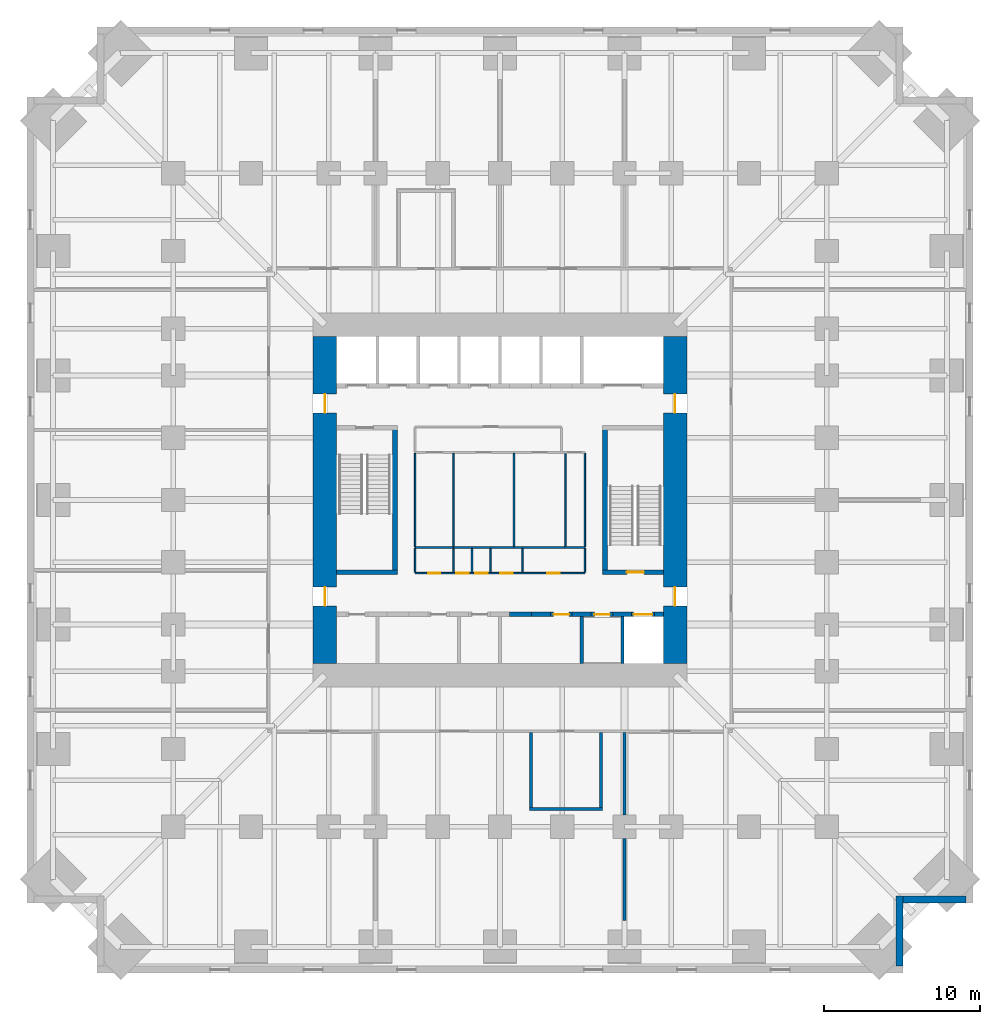
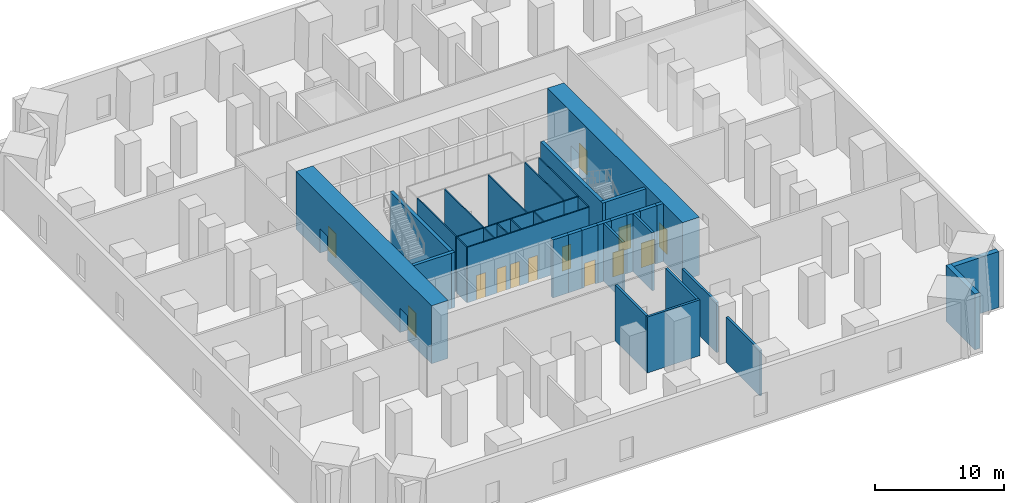
# One storey, part 4 of 8: 37 walls, 13 doors, 13 openings.
"""IFC4 building model written with IfcOpenShell, lengths in metres."""

from ifc_helpers import new_model, si_unit, direction, frame, frame_2d, origin, place, context, subcontext, project, spatial, rectangle, extrude, material, layer, layer_set, type_object, element, fill, save


model = new_model("IFC4")

# Units and contexts
model_context = context("Model", 3, precision=1e-05, world=origin(), true_north=direction((0.0, 1.0)))
body_context = subcontext(model_context, "Body", "Model", "MODEL_VIEW")
ifc_project = project(units=[si_unit("LENGTHUNIT", "METRE"), si_unit("AREAUNIT", "SQUARE_METRE"), si_unit("VOLUMEUNIT", "CUBIC_METRE"), si_unit("PLANEANGLEUNIT", "RADIAN"), si_unit("MASSUNIT", "GRAM", prefix="KILO")], contexts=[model_context])

# Site, building, storey
site_placement = place(None, origin())
site = spatial("IfcSite", under=ifc_project, at=site_placement, CompositionType="ELEMENT")
building_placement = place(site_placement, origin())
building = spatial("IfcBuilding", under=site, at=building_placement, Name="Peilmerk Tower", CompositionType="ELEMENT")
storey_placement = place(building_placement, frame((0.0, 0.0, 54.0)))
storey = spatial("IfcBuildingStorey", under=building, at=storey_placement, Name="L10", CompositionType="ELEMENT", Elevation=54.0)

# Walls
ifc_material_1 = material(Name="Precast concrete C45/55, board-marked finish", Category="concrete")
ifc_layer_1 = layer(ifc_material_1, 0.449951171875)
ifc_layer_set_1 = layer_set([ifc_layer_1], Name="Precast concrete C45/55, board-marked finish")
wall_type_1 = type_object("IfcWallType", Name="EW1 450 precast concrete facade wall, board-marked", PredefinedType="SOLIDWALL", material=ifc_layer_set_1)
wall_1_placement = place(storey_placement, frame((25.675048828125, -25.449951171875, 0.0), z_axis=(0.0, 0.0, 1.0), x_axis=(0.0, -1.0, 0.0)))
element("IfcWall", 1, at=wall_1_placement, inside=storey, type_object=wall_type_1, Name="Facade wall SEA L10", PredefinedType="SOLIDWALL", context=body_context, shape_type="SweptSolid", body=[
    extrude(rectangle(XDim=4.5, YDim=0.449951171875, at=frame_2d((2.25, 0.0))), origin(), (0.0, 0.0, 1.0), 5.300048828125),
])
wall_2_placement = place(storey_placement, frame((25.89990234375, -25.675048828125, 0.0), z_axis=(0.0, 0.0, 1.0), x_axis=(1.0, 0.0, 0.0)))
element("IfcWall", 2, at=wall_2_placement, inside=storey, type_object=wall_type_1, Name="Facade wall SEB L10", PredefinedType="SOLIDWALL", context=body_context, shape_type="SweptSolid", body=[
    extrude(rectangle(XDim=4.050048828125, YDim=0.449951171875, at=frame_2d((2.02490234375, 0.0))), origin(), (0.0, 0.0, 1.0), 5.300048828125),
])
ifc_material_2 = material(Name="Calcium silicate block", Category="masonry")
ifc_layer_2 = layer(ifc_material_2, 0.199951171875)
ifc_layer_set_2 = layer_set([ifc_layer_2], Name="Calcium silicate block")
wall_type_2 = type_object("IfcWallType", Name="IW2 200 room separating wall, EI 120", PredefinedType="PARTITIONING", material=ifc_layer_set_2)
wall_3_placement = place(storey_placement, frame((8.0, -14.925048828125, 0.0), z_axis=(0.0, 0.0, 1.0), x_axis=(0.0, -1.0, 0.0)))
element("IfcWall", 3, at=wall_3_placement, inside=storey, type_object=wall_type_2, Name="Room separating wall S2 L10", PredefinedType="PARTITIONING", context=body_context, shape_type="SweptSolid", body=[
    extrude(rectangle(XDim=5.324951171875, YDim=0.199951171875, at=frame_2d((2.66259765625, 0.0))), origin(), (0.0, 0.0, 1.0), 4.73095703125),
])
wall_4_placement = place(storey_placement, frame((8.0, -21.75, 0.0), z_axis=(0.0, 0.0, 1.0), x_axis=(0.0, -1.0, 0.0)))
element("IfcWall", 4, at=wall_4_placement, inside=storey, type_object=wall_type_2, Name="Room separating wall S2b L10", PredefinedType="PARTITIONING", context=body_context, shape_type="SweptSolid", body=[
    extrude(rectangle(XDim=5.2626953125, YDim=0.199951171875, at=frame_2d((2.63134765625, 0.0))), origin(), (0.0, 0.0, 1.0), 4.300048828125),
])
wall_5_placement = place(storey_placement, frame((1.89990234375, -19.85009765625, 0.0), z_axis=(0.0, 0.0, 1.0), x_axis=(1.0, 0.0, 0.0)))
element("IfcWall", 5, at=wall_5_placement, inside=storey, type_object=wall_type_2, Name="Room separating wall Security control room L10", PredefinedType="PARTITIONING", context=body_context, shape_type="SweptSolid", body=[
    extrude(rectangle(XDim=4.7001953125, YDim=0.199951171875, at=frame_2d((2.35009765625, 0.0))), origin(), (0.0, 0.0, 1.0), 5.300048828125),
])
for number, where, z_axis, x_axis, name in (
    (6, (2.0, -14.925048828125, 0.0), (0.0, 0.0, 1.0), (0.0, -1.0, 0.0), "Room separating wall Security control room L10"),
    (7, (6.5, -14.925048828125, 0.0), (0.0, 0.0, 1.0), (0.0, -1.0, 0.0), "Room separating wall Security control room L10"),
):
    element("IfcWall", number, at=place(storey_placement, frame(where, z_axis=z_axis, x_axis=x_axis)), inside=storey, type_object=wall_type_2, Name=name, PredefinedType="PARTITIONING", context=body_context, shape_type="SweptSolid", body=[
        extrude(rectangle(XDim=4.824951171875, YDim=0.199951171875, at=frame_2d((2.41259765625, 0.0))), origin(), (0.0, 0.0, 1.0), 5.300048828125),
    ])
ifc_material_3 = material(Name="Concrete C35/45", Category="concrete")
ifc_layer_3 = layer(ifc_material_3, 0.300048828125)
ifc_layer_set_3 = layer_set([ifc_layer_3], Name="Concrete C35/45")
wall_type_3 = type_object("IfcWallType", Name="IW3 300 concrete stair enclosure wall, EI 120", PredefinedType="SOLIDWALL", material=ifc_layer_set_3)
wall_6_placement = place(storey_placement, frame((-6.75, -4.800048828125, 0.0), z_axis=(0.0, 0.0, 1.0), x_axis=(0.0, 1.0, 0.0)))
element("IfcWall", 8, at=wall_6_placement, inside=storey, type_object=wall_type_3, Name="Stair 1 enclosure L10", PredefinedType="SOLIDWALL", context=body_context, shape_type="SweptSolid", body=[
    extrude(rectangle(XDim=9.60009765625, YDim=0.300048828125, at=frame_2d((4.800048828125, 0.0))), origin(), (0.0, 0.0, 1.0), 5.25),
])
wall_7_placement = place(storey_placement, frame((-6.60009765625, -4.64990234375, 0.0), z_axis=(0.0, 0.0, 1.0), x_axis=(-1.0, 0.0, 0.0)))
element("IfcWall", 9, at=wall_7_placement, inside=storey, type_object=wall_type_3, Name="Stair 1 enclosure L10", PredefinedType="SOLIDWALL", context=body_context, shape_type="SweptSolid", body=[
    extrude(rectangle(XDim=3.89990234375, YDim=0.300048828125, at=frame_2d((1.949951171875, 0.0))), origin(), (0.0, 0.0, 1.0), 5.25),
])
wall_8_placement = place(storey_placement, frame((6.75, -4.800048828125, 0.0), z_axis=(0.0, 0.0, 1.0), x_axis=(0.0, 1.0, 0.0)))
element("IfcWall", 10, at=wall_8_placement, inside=storey, type_object=wall_type_3, Name="Stair 2 enclosure L10", PredefinedType="SOLIDWALL", context=body_context, shape_type="SweptSolid", body=[
    extrude(rectangle(XDim=9.60009765625, YDim=0.300048828125, at=frame_2d((4.800048828125, 0.0))), origin(), (0.0, 0.0, 1.0), 5.25),
])

# Wall, opening, door
wall_9_placement = place(storey_placement, frame((10.5, -4.64990234375, 0.0), z_axis=(0.0, 0.0, 1.0), x_axis=(-1.0, 0.0, 0.0)))
wall_9 = element("IfcWall", 11, at=wall_9_placement, inside=storey, type_object=wall_type_3, Name="Stair 2 enclosure L10", PredefinedType="SOLIDWALL", context=body_context, shape_type="SweptSolid", body=[
    extrude(rectangle(XDim=3.89990234375, YDim=0.300048828125, at=frame_2d((1.949951171875, 0.0))), origin(), (0.0, 0.0, 1.0), 5.25),
])
opening_1_placement = place(wall_9_placement, frame((1.25, 0.0, 0.0)))
opening_1 = element("IfcOpeningElement", 12, at=opening_1_placement, cuts=wall_9, Name="Opening D4", PredefinedType="OPENING", context=body_context, shape_type="SweptSolid", body=[
    extrude(rectangle(XDim=1.10009765625, YDim=2.300048828125, at=frame_2d((0.550048828125, 1.14990234375))), frame((0.0, 0.159912109375, 0.0), z_axis=(0.0, -1.0, 0.0), x_axis=(1.0, 0.0, 0.0)), (0.0, 0.0, 1.0), 0.320068359375),
])
ifc_material_4 = material(Name="Steel door in steel frame", Category="steel")
door_type_1 = type_object("IfcDoorType", Name="D4 1100x2300 stair door, EI2 60", OperationType="SINGLE_SWING_RIGHT", PredefinedType="DOOR", material=ifc_material_4)
door_1_placement = place(opening_1_placement, frame((1.10009765625, 0.0, 0.0), z_axis=(0.0, 0.0, 1.0), x_axis=(-1.0, 0.0, 0.0)))
door_1 = element("IfcDoor", 13, at=door_1_placement, inside=storey, type_object=door_type_1, Name="Stair 2 door L10", OperationType="SINGLE_SWING_RIGHT", OverallHeight=2.300048828125, OverallWidth=1.10009765625, PredefinedType="DOOR", context=body_context, shape_type="SweptSolid", body=[
    extrude(rectangle(XDim=1.10009765625, YDim=2.300048828125, at=frame_2d((0.550048828125, 1.14990234375))), frame((0.0, 0.02490234375, 0.0), z_axis=(0.0, -1.0, 0.0), x_axis=(1.0, 0.0, 0.0)), (0.0, 0.0, 1.0), 0.050048828125),
])
fill(opening_1, door_1)

# Walls
ifc_material_5 = material(Name="Plasterboard on steel studs", Category="steel")
ifc_layer_4 = layer(ifc_material_5, 0.10009765625)
ifc_layer_set_4 = layer_set([ifc_layer_4], Name="Plasterboard on steel studs")
wall_type_4 = type_object("IfcWallType", Name="IW4 100 WC partition", PredefinedType="PARTITIONING", material=ifc_layer_set_4)
wall_10_placement = place(storey_placement, frame((4.14990234375, -3.050048828125, 0.0), z_axis=(0.0, 0.0, 1.0), x_axis=(-1.0, 0.0, 0.0)))
element("IfcWall", 14, at=wall_10_placement, inside=storey, type_object=wall_type_4, Name="WC wall L10", PredefinedType="PARTITIONING", context=body_context, shape_type="SweptSolid", body=[
    extrude(rectangle(XDim=9.599853515625, YDim=0.10009765625, at=frame_2d((4.7998046875, 0.0))), origin(), (0.0, 0.0, 1.0), 5.25),
])
for number, where, z_axis, x_axis, name in (
    (15, (-5.449951171875, -3.0, 0.0), (0.0, 0.0, 1.0), (0.0, 1.0, 0.0), "WC wall L10"),
    (16, (-3.0, -3.0, 0.0), (0.0, 0.0, 1.0), (0.0, 1.0, 0.0), "WC wall L10"),
    (17, (0.89990234375, -3.0, 0.0), (0.0, 0.0, 1.0), (0.0, 1.0, 0.0), "WC wall L10"),
):
    element("IfcWall", number, at=place(storey_placement, frame(where, z_axis=z_axis, x_axis=x_axis)), inside=storey, type_object=wall_type_4, Name=name, PredefinedType="PARTITIONING", context=body_context, shape_type="SweptSolid", body=[
        extrude(rectangle(XDim=6.0, YDim=0.10009765625, at=frame_2d((3.0, 0.0))), origin(), (0.0, 0.0, 1.0), 5.25),
    ])
ifc_material_6 = material(Name="Calcium silicate board on steel studs", Category="steel")
ifc_layer_5 = layer(ifc_material_6, 0.10009765625)
ifc_layer_set_5 = layer_set([ifc_layer_5], Name="Calcium silicate board on steel studs")
wall_type_5 = type_object("IfcWallType", Name="IW5 100 riser enclosure wall, EI 60", PredefinedType="PARTITIONING", material=ifc_layer_set_5)
wall_11_placement = place(storey_placement, frame((5.449951171875, -3.050048828125, 0.0), z_axis=(0.0, 0.0, 1.0), x_axis=(-1.0, 0.0, 0.0)))
element("IfcWall", 18, at=wall_11_placement, inside=storey, type_object=wall_type_5, Name="Riser wall L10", PredefinedType="PARTITIONING", context=body_context, shape_type="SweptSolid", body=[
    extrude(rectangle(XDim=1.300048828125, YDim=0.10009765625, at=frame_2d((0.64990234375, 0.0))), origin(), (0.0, 0.0, 1.0), 5.25),
])
for number, where, z_axis, x_axis, name in (
    (19, (5.449951171875, 3.0, 0.0), (0.0, 0.0, 1.0), (0.0, -1.0, 0.0), "Riser wall L10"),
    (20, (4.199951171875, -3.0, 0.0), (0.0, 0.0, 1.0), (0.0, 1.0, 0.0), "Riser wall L10"),
):
    element("IfcWall", number, at=place(storey_placement, frame(where, z_axis=z_axis, x_axis=x_axis)), inside=storey, type_object=wall_type_5, Name=name, PredefinedType="PARTITIONING", context=body_context, shape_type="SweptSolid", body=[
        extrude(rectangle(XDim=6.0, YDim=0.10009765625, at=frame_2d((3.0, 0.0))), origin(), (0.0, 0.0, 1.0), 5.25),
    ])

# Wall, openings, doors
wall_12_placement = place(storey_placement, frame((5.449951171875, -4.699951171875, 0.0), z_axis=(0.0, 0.0, 1.0), x_axis=(-1.0, 0.0, 0.0)))
wall_12 = element("IfcWall", 21, at=wall_12_placement, inside=storey, type_object=wall_type_5, Name="Riser wall L10", PredefinedType="PARTITIONING", context=body_context, shape_type="SweptSolid", body=[
    extrude(rectangle(XDim=10.89990234375, YDim=0.10009765625, at=frame_2d((5.449951171875, 0.0))), origin(), (0.0, 0.0, 1.0), 5.25),
])
opening_2_placement = place(wall_12_placement, frame((9.27490234375, 0.0, 0.0)))
opening_2 = element("IfcOpeningElement", 22, at=opening_2_placement, cuts=wall_12, Name="Opening D7", PredefinedType="OPENING", context=body_context, shape_type="SweptSolid", body=[
    extrude(rectangle(XDim=0.800048828125, YDim=2.300048828125, at=frame_2d((0.39990234375, 1.14990234375))), frame((0.0, 0.06005859375, 0.0), z_axis=(0.0, -1.0, 0.0), x_axis=(1.0, 0.0, 0.0)), (0.0, 0.0, 1.0), 0.1201171875),
])
opening_3_placement = place(wall_12_placement, frame((7.449951171875, 0.0, 0.0)))
opening_3 = element("IfcOpeningElement", 23, at=opening_3_placement, cuts=wall_12, Name="Opening D7", PredefinedType="OPENING", context=body_context, shape_type="SweptSolid", body=[
    extrude(rectangle(XDim=0.800048828125, YDim=2.300048828125, at=frame_2d((0.39990234375, 1.14990234375))), frame((0.0, 0.06005859375, 0.0), z_axis=(0.0, -1.0, 0.0), x_axis=(1.0, 0.0, 0.0)), (0.0, 0.0, 1.0), 0.1201171875),
])
opening_4_placement = place(wall_12_placement, frame((6.25, 0.0, 0.0)))
opening_4 = element("IfcOpeningElement", 24, at=opening_4_placement, cuts=wall_12, Name="Opening D7", PredefinedType="OPENING", context=body_context, shape_type="SweptSolid", body=[
    extrude(rectangle(XDim=0.800048828125, YDim=2.300048828125, at=frame_2d((0.39990234375, 1.14990234375))), frame((0.0, 0.06005859375, 0.0), z_axis=(0.0, -1.0, 0.0), x_axis=(1.0, 0.0, 0.0)), (0.0, 0.0, 1.0), 0.1201171875),
])
opening_5_placement = place(wall_12_placement, frame((4.625, 0.0, 0.0)))
opening_5 = element("IfcOpeningElement", 25, at=opening_5_placement, cuts=wall_12, Name="Opening D7", PredefinedType="OPENING", context=body_context, shape_type="SweptSolid", body=[
    extrude(rectangle(XDim=0.800048828125, YDim=2.300048828125, at=frame_2d((0.39990234375, 1.14990234375))), frame((0.0, 0.06005859375, 0.0), z_axis=(0.0, -1.0, 0.0), x_axis=(1.0, 0.0, 0.0)), (0.0, 0.0, 1.0), 0.1201171875),
])
opening_6_placement = place(wall_12_placement, frame((1.60009765625, 0.0, 0.0)))
opening_6 = element("IfcOpeningElement", 26, at=opening_6_placement, cuts=wall_12, Name="Opening D7", PredefinedType="OPENING", context=body_context, shape_type="SweptSolid", body=[
    extrude(rectangle(XDim=0.800048828125, YDim=2.300048828125, at=frame_2d((0.39990234375, 1.14990234375))), frame((0.0, 0.06005859375, 0.0), z_axis=(0.0, -1.0, 0.0), x_axis=(1.0, 0.0, 0.0)), (0.0, 0.0, 1.0), 0.1201171875),
])
door_type_2 = type_object("IfcDoorType", Name="D7 800x2300 riser access door, EI2 60", OperationType="SINGLE_SWING_RIGHT", PredefinedType="DOOR", material=ifc_material_4)
door_2_placement = place(opening_2_placement, frame((0.800048828125, 0.0, 0.0), z_axis=(0.0, 0.0, 1.0), x_axis=(-1.0, 0.0, 0.0)))
door_2 = element("IfcDoor", 27, at=door_2_placement, inside=storey, type_object=door_type_2, Name="Cleaner's cupboard door L10", OperationType="SINGLE_SWING_RIGHT", OverallHeight=2.300048828125, OverallWidth=0.800048828125, PredefinedType="DOOR", context=body_context, shape_type="SweptSolid", body=[
    extrude(rectangle(XDim=0.800048828125, YDim=2.300048828125, at=frame_2d((0.39990234375, 1.14990234375))), frame((0.0, 0.02490234375, 0.0), z_axis=(0.0, -1.0, 0.0), x_axis=(1.0, 0.0, 0.0)), (0.0, 0.0, 1.0), 0.050048828125),
])
fill(opening_2, door_2)
door_3_placement = place(opening_3_placement, frame((0.800048828125, 0.0, 0.0), z_axis=(0.0, 0.0, 1.0), x_axis=(-1.0, 0.0, 0.0)))
door_3 = element("IfcDoor", 28, at=door_3_placement, inside=storey, type_object=door_type_2, Name="Electrical riser door L10", OperationType="SINGLE_SWING_RIGHT", OverallHeight=2.300048828125, OverallWidth=0.800048828125, PredefinedType="DOOR", context=body_context, shape_type="SweptSolid", body=[
    extrude(rectangle(XDim=0.800048828125, YDim=2.300048828125, at=frame_2d((0.39990234375, 1.14990234375))), frame((0.0, 0.02490234375, 0.0), z_axis=(0.0, -1.0, 0.0), x_axis=(1.0, 0.0, 0.0)), (0.0, 0.0, 1.0), 0.050048828125),
])
fill(opening_3, door_3)
door_4_placement = place(opening_4_placement, frame((0.800048828125, 0.0, 0.0), z_axis=(0.0, 0.0, 1.0), x_axis=(-1.0, 0.0, 0.0)))
door_4 = element("IfcDoor", 29, at=door_4_placement, inside=storey, type_object=door_type_2, Name="Data riser door L10", OperationType="SINGLE_SWING_RIGHT", OverallHeight=2.300048828125, OverallWidth=0.800048828125, PredefinedType="DOOR", context=body_context, shape_type="SweptSolid", body=[
    extrude(rectangle(XDim=0.800048828125, YDim=2.300048828125, at=frame_2d((0.39990234375, 1.14990234375))), frame((0.0, 0.02490234375, 0.0), z_axis=(0.0, -1.0, 0.0), x_axis=(1.0, 0.0, 0.0)), (0.0, 0.0, 1.0), 0.050048828125),
])
fill(opening_4, door_4)
door_5_placement = place(opening_5_placement, frame((0.800048828125, 0.0, 0.0), z_axis=(0.0, 0.0, 1.0), x_axis=(-1.0, 0.0, 0.0)))
door_5 = element("IfcDoor", 30, at=door_5_placement, inside=storey, type_object=door_type_2, Name="Electrical room door L10", OperationType="SINGLE_SWING_RIGHT", OverallHeight=2.300048828125, OverallWidth=0.800048828125, PredefinedType="DOOR", context=body_context, shape_type="SweptSolid", body=[
    extrude(rectangle(XDim=0.800048828125, YDim=2.300048828125, at=frame_2d((0.39990234375, 1.14990234375))), frame((0.0, 0.02490234375, 0.0), z_axis=(0.0, -1.0, 0.0), x_axis=(1.0, 0.0, 0.0)), (0.0, 0.0, 1.0), 0.050048828125),
])
fill(opening_5, door_5)
door_6_placement = place(opening_6_placement, frame((0.800048828125, 0.0, 0.0), z_axis=(0.0, 0.0, 1.0), x_axis=(-1.0, 0.0, 0.0)))
door_6 = element("IfcDoor", 31, at=door_6_placement, inside=storey, type_object=door_type_2, Name="Comms room door L10", OperationType="SINGLE_SWING_RIGHT", OverallHeight=2.300048828125, OverallWidth=0.800048828125, PredefinedType="DOOR", context=body_context, shape_type="SweptSolid", body=[
    extrude(rectangle(XDim=0.800048828125, YDim=2.300048828125, at=frame_2d((0.39990234375, 1.14990234375))), frame((0.0, 0.02490234375, 0.0), z_axis=(0.0, -1.0, 0.0), x_axis=(1.0, 0.0, 0.0)), (0.0, 0.0, 1.0), 0.050048828125),
])
fill(opening_6, door_6)

# Walls
for number, where, z_axis, x_axis, name in (
    (32, (-5.449951171875, -3.10009765625, 0.0), (0.0, 0.0, 1.0), (0.0, -1.0, 0.0), "Riser wall L10"),
    (33, (5.449951171875, -3.10009765625, 0.0), (0.0, 0.0, 1.0), (0.0, -1.0, 0.0), "Riser wall L10"),
    (34, (-3.0, -3.10009765625, 0.0), (0.0, 0.0, 1.0), (0.0, -1.0, 0.0), "Riser wall L10"),
    (35, (-1.800048828125, -3.10009765625, 0.0), (0.0, 0.0, 1.0), (0.0, -1.0, 0.0), "Riser wall L10"),
    (36, (-0.60009765625, -3.10009765625, 0.0), (0.0, 0.0, 1.0), (0.0, -1.0, 0.0), "Riser wall L10"),
    (37, (1.449951171875, -3.10009765625, 0.0), (0.0, 0.0, 1.0), (0.0, -1.0, 0.0), "Riser wall L10"),
):
    element("IfcWall", number, at=place(storey_placement, frame(where, z_axis=z_axis, x_axis=x_axis)), inside=storey, type_object=wall_type_5, Name=name, PredefinedType="PARTITIONING", context=body_context, shape_type="SweptSolid", body=[
        extrude(rectangle(XDim=1.5498046875, YDim=0.10009765625, at=frame_2d((0.77490234375, 0.0))), origin(), (0.0, 0.0, 1.0), 5.25),
    ])
ifc_layer_6 = layer(ifc_material_2, 0.199951171875)
ifc_layer_set_6 = layer_set([ifc_layer_6], Name="Calcium silicate block")
wall_type_6 = type_object("IfcWallType", Name="SH1 200 shaft dividing wall, EI 120", PredefinedType="PARTITIONING", material=ifc_layer_set_6)
for number, where, z_axis, x_axis, name in (
    (38, (5.25, -10.5, 0.0), (0.0, 0.0, 1.0), (0.0, 1.0, 0.0), "Shaft wall S B2 L10"),
    (39, (7.875, -10.5, 0.0), (0.0, 0.0, 1.0), (0.0, 1.0, 0.0), "Shaft wall S B1 L10"),
):
    element("IfcWall", number, at=place(storey_placement, frame(where, z_axis=z_axis, x_axis=x_axis)), inside=storey, type_object=wall_type_6, Name=name, PredefinedType="PARTITIONING", context=body_context, shape_type="SweptSolid", body=[
        extrude(rectangle(XDim=3.0, YDim=0.199951171875, at=frame_2d((1.5, 0.0))), origin(), (0.0, 0.0, 1.0), 5.5),
    ])
ifc_layer_7 = layer(ifc_material_2, 0.300048828125)
ifc_layer_set_7 = layer_set([ifc_layer_7], Name="Calcium silicate block")
wall_type_7 = type_object("IfcWallType", Name="SH2 300 lift landing door panel, EI 120", PredefinedType="PARTITIONING", material=ifc_layer_set_7)
wall_13_placement = place(storey_placement, frame((0.612548828125, -7.35009765625, 0.0), z_axis=(0.0, 0.0, 1.0), x_axis=(1.0, 0.0, 0.0)))
element("IfcWall", 40, at=wall_13_placement, inside=storey, type_object=wall_type_7, Name="Lift door panel S B3 L10", PredefinedType="PARTITIONING", context=body_context, shape_type="SweptSolid", body=[
    extrude(rectangle(XDim=1.39990234375, YDim=0.300048828125, at=frame_2d((0.699951171875, 0.0))), origin(), (0.0, 0.0, 1.0), 5.5),
])

# Wall, opening, door
wall_14_placement = place(storey_placement, frame((3.237548828125, -7.35009765625, 0.0), z_axis=(0.0, 0.0, 1.0), x_axis=(1.0, 0.0, 0.0)))
wall_14 = element("IfcWall", 41, at=wall_14_placement, inside=storey, type_object=wall_type_7, Name="Lift door panel S B2 L10", PredefinedType="PARTITIONING", context=body_context, shape_type="SweptSolid", body=[
    extrude(rectangle(XDim=1.39990234375, YDim=0.300048828125, at=frame_2d((0.699951171875, 0.0))), origin(), (0.0, 0.0, 1.0), 5.5),
])
opening_7_placement = place(wall_14_placement, frame((0.199951171875, 0.0, 0.0)))
opening_7 = element("IfcOpeningElement", 42, at=opening_7_placement, cuts=wall_14, Name="Opening D10", PredefinedType="OPENING", context=body_context, shape_type="SweptSolid", body=[
    extrude(rectangle(XDim=1.0, YDim=2.300048828125, at=frame_2d((0.5, 1.14990234375))), frame((0.0, 0.159912109375, 0.0), z_axis=(0.0, -1.0, 0.0), x_axis=(1.0, 0.0, 0.0)), (0.0, 0.0, 1.0), 0.320068359375),
])
door_type_3 = type_object("IfcDoorType", Name="D10 1000x2300 core room door, EI2 60", OperationType="SINGLE_SWING_RIGHT", PredefinedType="DOOR", material=ifc_material_4)
door_7_placement = place(opening_7_placement, frame((1.0, 0.0, 0.0), z_axis=(0.0, 0.0, 1.0), x_axis=(-1.0, 0.0, 0.0)))
door_7 = element("IfcDoor", 43, at=door_7_placement, inside=storey, type_object=door_type_3, Name="Door IT room L10", OperationType="SINGLE_SWING_RIGHT", OverallHeight=2.300048828125, OverallWidth=1.0, PredefinedType="DOOR", context=body_context, shape_type="SweptSolid", body=[
    extrude(rectangle(XDim=1.0, YDim=2.300048828125, at=frame_2d((0.5, 1.14990234375))), frame((0.0, 0.02490234375, 0.0), z_axis=(0.0, -1.0, 0.0), x_axis=(1.0, 0.0, 0.0)), (0.0, 0.0, 1.0), 0.050048828125),
])
fill(opening_7, door_7)

wall_15_placement = place(storey_placement, frame((5.862548828125, -7.35009765625, 0.0), z_axis=(0.0, 0.0, 1.0), x_axis=(1.0, 0.0, 0.0)))
wall_15 = element("IfcWall", 44, at=wall_15_placement, inside=storey, type_object=wall_type_7, Name="Lift door panel S B1 L10", PredefinedType="PARTITIONING", context=body_context, shape_type="SweptSolid", body=[
    extrude(rectangle(XDim=1.39990234375, YDim=0.300048828125, at=frame_2d((0.699951171875, 0.0))), origin(), (0.0, 0.0, 1.0), 5.5),
])
opening_8_placement = place(wall_15_placement, frame((0.199951171875, 0.0, 0.0)))
opening_8 = element("IfcOpeningElement", 45, at=opening_8_placement, cuts=wall_15, Name="Opening D10", PredefinedType="OPENING", context=body_context, shape_type="SweptSolid", body=[
    extrude(rectangle(XDim=1.0, YDim=2.300048828125, at=frame_2d((0.5, 1.14990234375))), frame((0.0, 0.159912109375, 0.0), z_axis=(0.0, -1.0, 0.0), x_axis=(1.0, 0.0, 0.0)), (0.0, 0.0, 1.0), 0.320068359375),
])
door_8_placement = place(opening_8_placement, frame((1.0, 0.0, 0.0), z_axis=(0.0, 0.0, 1.0), x_axis=(-1.0, 0.0, 0.0)))
door_8 = element("IfcDoor", 46, at=door_8_placement, inside=storey, type_object=door_type_3, Name="Door Pantry L10", OperationType="SINGLE_SWING_RIGHT", OverallHeight=2.300048828125, OverallWidth=1.0, PredefinedType="DOOR", context=body_context, shape_type="SweptSolid", body=[
    extrude(rectangle(XDim=1.0, YDim=2.300048828125, at=frame_2d((0.5, 1.14990234375))), frame((0.0, 0.02490234375, 0.0), z_axis=(0.0, -1.0, 0.0), x_axis=(1.0, 0.0, 0.0)), (0.0, 0.0, 1.0), 0.050048828125),
])
fill(opening_8, door_8)

wall_16_placement = place(storey_placement, frame((8.4375, -7.35009765625, 0.0), z_axis=(0.0, 0.0, 1.0), x_axis=(1.0, 0.0, 0.0)))
wall_16 = element("IfcWall", 47, at=wall_16_placement, inside=storey, type_object=wall_type_7, Name="Lift door panel S FL2 L10", PredefinedType="PARTITIONING", context=body_context, shape_type="SweptSolid", body=[
    extrude(rectangle(XDim=1.5, YDim=0.300048828125, at=frame_2d((0.75, 0.0))), origin(), (0.0, 0.0, 1.0), 5.5),
])
opening_9_placement = place(wall_16_placement, frame((0.14990234375, 0.0, 0.0)))
opening_9 = element("IfcOpeningElement", 48, at=opening_9_placement, cuts=wall_16, Name="Opening LD2", PredefinedType="OPENING", context=body_context, shape_type="SweptSolid", body=[
    extrude(rectangle(XDim=1.199951171875, YDim=2.300048828125, at=frame_2d((0.60009765625, 1.14990234375))), frame((0.0, 0.159912109375, 0.0), z_axis=(0.0, -1.0, 0.0), x_axis=(1.0, 0.0, 0.0)), (0.0, 0.0, 1.0), 0.320068359375),
])
ifc_material_7 = material(Name="Stainless steel landing door", Category="steel")
door_type_4 = type_object("IfcDoorType", Name="LD2 1200x2300 lift landing door, sliding, EI2 60", OperationType="SLIDING_TO_LEFT", PredefinedType="DOOR", material=ifc_material_7)
door_9_placement = place(opening_9_placement, origin())
door_9 = element("IfcDoor", 49, at=door_9_placement, inside=storey, type_object=door_type_4, Name="Lift landing door FL2 L10", OperationType="SLIDING_TO_LEFT", OverallHeight=2.300048828125, OverallWidth=1.199951171875, PredefinedType="DOOR", context=body_context, shape_type="SweptSolid", body=[
    extrude(rectangle(XDim=1.199951171875, YDim=2.300048828125, at=frame_2d((0.60009765625, 1.14990234375))), frame((0.0, 0.02490234375, 0.0), z_axis=(0.0, -1.0, 0.0), x_axis=(1.0, 0.0, 0.0)), (0.0, 0.0, 1.0), 0.050048828125),
])
fill(opening_9, door_9)

# Wall, openings, doors
ifc_material_8 = material(Name="Concrete C55/67", Category="concrete")
ifc_layer_8 = layer(ifc_material_8, 1.5)
ifc_layer_set_8 = layer_set([ifc_layer_8], Name="Concrete C55/67")
wall_type_8 = type_object("IfcWallType", Name="SW1 1500 core wall", PredefinedType="SHEAR", material=ifc_layer_set_8)
wall_17_placement = place(storey_placement, frame((11.25, 10.5, 0.0), z_axis=(0.0, 0.0, 1.0), x_axis=(0.0, -1.0, 0.0)))
wall_17 = element("IfcWall", 50, at=wall_17_placement, inside=storey, type_object=wall_type_8, Name="Core wall E L10", PredefinedType="SHEAR", context=body_context, shape_type="SweptSolid", body=[
    extrude(rectangle(XDim=21.0, YDim=1.5, at=frame_2d((10.5, 0.0))), origin(), (0.0, 0.0, 1.0), 5.5),
])
opening_10_placement = place(wall_17_placement, frame((3.699951171875, 0.0, 0.0)))
opening_10 = element("IfcOpeningElement", 51, at=opening_10_placement, cuts=wall_17, Name="Opening D3", PredefinedType="OPENING", context=body_context, shape_type="SweptSolid", body=[
    extrude(rectangle(XDim=1.199951171875, YDim=2.300048828125, at=frame_2d((0.60009765625, 1.14990234375))), frame((0.0, 0.760009765625, 0.0), z_axis=(0.0, -1.0, 0.0), x_axis=(1.0, 0.0, 0.0)), (0.0, 0.0, 1.0), 1.52001953125),
])
opening_11_placement = place(wall_17_placement, frame((16.10009765625, 0.0, 0.0)))
opening_11 = element("IfcOpeningElement", 52, at=opening_11_placement, cuts=wall_17, Name="Opening D3", PredefinedType="OPENING", context=body_context, shape_type="SweptSolid", body=[
    extrude(rectangle(XDim=1.199951171875, YDim=2.300048828125, at=frame_2d((0.60009765625, 1.14990234375))), frame((0.0, 0.760009765625, 0.0), z_axis=(0.0, -1.0, 0.0), x_axis=(1.0, 0.0, 0.0)), (0.0, 0.0, 1.0), 1.52001953125),
])
door_type_5 = type_object("IfcDoorType", Name="D3 1200x2300 core door, EI2 60", OperationType="SINGLE_SWING_LEFT", PredefinedType="DOOR", material=ifc_material_4)
door_10_placement = place(opening_10_placement, frame((1.199951171875, 0.0, 0.0), z_axis=(0.0, 0.0, 1.0), x_axis=(-1.0, 0.0, 0.0)))
door_10 = element("IfcDoor", 53, at=door_10_placement, inside=storey, type_object=door_type_5, Name="Core door L10", OperationType="SINGLE_SWING_LEFT", OverallHeight=2.300048828125, OverallWidth=1.199951171875, PredefinedType="DOOR", context=body_context, shape_type="SweptSolid", body=[
    extrude(rectangle(XDim=1.199951171875, YDim=2.300048828125, at=frame_2d((0.60009765625, 1.14990234375))), frame((0.0, 0.02490234375, 0.0), z_axis=(0.0, -1.0, 0.0), x_axis=(1.0, 0.0, 0.0)), (0.0, 0.0, 1.0), 0.050048828125),
])
fill(opening_10, door_10)
door_11_placement = place(opening_11_placement, frame((1.199951171875, 0.0, 0.0), z_axis=(0.0, 0.0, 1.0), x_axis=(-1.0, 0.0, 0.0)))
door_11 = element("IfcDoor", 54, at=door_11_placement, inside=storey, type_object=door_type_5, Name="Core door L10", OperationType="SINGLE_SWING_LEFT", OverallHeight=2.300048828125, OverallWidth=1.199951171875, PredefinedType="DOOR", context=body_context, shape_type="SweptSolid", body=[
    extrude(rectangle(XDim=1.199951171875, YDim=2.300048828125, at=frame_2d((0.60009765625, 1.14990234375))), frame((0.0, 0.02490234375, 0.0), z_axis=(0.0, -1.0, 0.0), x_axis=(1.0, 0.0, 0.0)), (0.0, 0.0, 1.0), 0.050048828125),
])
fill(opening_11, door_11)

wall_18_placement = place(storey_placement, frame((-11.25, -10.5, 0.0), z_axis=(0.0, 0.0, 1.0), x_axis=(0.0, 1.0, 0.0)))
wall_18 = element("IfcWall", 55, at=wall_18_placement, inside=storey, type_object=wall_type_8, Name="Core wall W L10", PredefinedType="SHEAR", context=body_context, shape_type="SweptSolid", body=[
    extrude(rectangle(XDim=21.0, YDim=1.5, at=frame_2d((10.5, 0.0))), origin(), (0.0, 0.0, 1.0), 5.5),
])
opening_12_placement = place(wall_18_placement, frame((16.10009765625, 0.0, 0.0)))
opening_12 = element("IfcOpeningElement", 56, at=opening_12_placement, cuts=wall_18, Name="Opening D3", PredefinedType="OPENING", context=body_context, shape_type="SweptSolid", body=[
    extrude(rectangle(XDim=1.199951171875, YDim=2.300048828125, at=frame_2d((0.60009765625, 1.14990234375))), frame((0.0, 0.760009765625, 0.0), z_axis=(0.0, -1.0, 0.0), x_axis=(1.0, 0.0, 0.0)), (0.0, 0.0, 1.0), 1.52001953125),
])
opening_13_placement = place(wall_18_placement, frame((3.699951171875, 0.0, 0.0)))
opening_13 = element("IfcOpeningElement", 57, at=opening_13_placement, cuts=wall_18, Name="Opening D3", PredefinedType="OPENING", context=body_context, shape_type="SweptSolid", body=[
    extrude(rectangle(XDim=1.199951171875, YDim=2.300048828125, at=frame_2d((0.60009765625, 1.14990234375))), frame((0.0, 0.760009765625, 0.0), z_axis=(0.0, -1.0, 0.0), x_axis=(1.0, 0.0, 0.0)), (0.0, 0.0, 1.0), 1.52001953125),
])
door_12_placement = place(opening_12_placement, frame((1.199951171875, 0.0, 0.0), z_axis=(0.0, 0.0, 1.0), x_axis=(-1.0, 0.0, 0.0)))
door_12 = element("IfcDoor", 58, at=door_12_placement, inside=storey, type_object=door_type_5, Name="Core door L10", OperationType="SINGLE_SWING_LEFT", OverallHeight=2.300048828125, OverallWidth=1.199951171875, PredefinedType="DOOR", context=body_context, shape_type="SweptSolid", body=[
    extrude(rectangle(XDim=1.199951171875, YDim=2.300048828125, at=frame_2d((0.60009765625, 1.14990234375))), frame((0.0, 0.02490234375, 0.0), z_axis=(0.0, -1.0, 0.0), x_axis=(1.0, 0.0, 0.0)), (0.0, 0.0, 1.0), 0.050048828125),
])
fill(opening_12, door_12)
door_13_placement = place(opening_13_placement, frame((1.199951171875, 0.0, 0.0), z_axis=(0.0, 0.0, 1.0), x_axis=(-1.0, 0.0, 0.0)))
door_13 = element("IfcDoor", 59, at=door_13_placement, inside=storey, type_object=door_type_5, Name="Core door L10", OperationType="SINGLE_SWING_LEFT", OverallHeight=2.300048828125, OverallWidth=1.199951171875, PredefinedType="DOOR", context=body_context, shape_type="SweptSolid", body=[
    extrude(rectangle(XDim=1.199951171875, YDim=2.300048828125, at=frame_2d((0.60009765625, 1.14990234375))), frame((0.0, 0.02490234375, 0.0), z_axis=(0.0, -1.0, 0.0), x_axis=(1.0, 0.0, 0.0)), (0.0, 0.0, 1.0), 0.050048828125),
])
fill(opening_13, door_13)

# Walls
ifc_layer_9 = layer(ifc_material_8, 0.300048828125)
ifc_layer_set_9 = layer_set([ifc_layer_9], Name="Concrete C55/67")
wall_type_9 = type_object("IfcWallType", Name="SW2 300 lift bank pier", PredefinedType="SHEAR", material=ifc_layer_set_9)
for number, where, z_axis, x_axis, name in (
    (60, (2.012451171875, -7.35009765625, 0.0), (0.0, 0.0, 1.0), (1.0, 0.0, 0.0), "Lift bank pier S L10"),
    (61, (4.637451171875, -7.35009765625, 0.0), (0.0, 0.0, 1.0), (1.0, 0.0, 0.0), "Lift bank pier S L10"),
):
    element("IfcWall", number, at=place(storey_placement, frame(where, z_axis=z_axis, x_axis=x_axis)), inside=storey, type_object=wall_type_9, Name=name, PredefinedType="SHEAR", context=body_context, shape_type="SweptSolid", body=[
        extrude(rectangle(XDim=1.22509765625, YDim=0.300048828125, at=frame_2d((0.612548828125, 0.0))), origin(), (0.0, 0.0, 1.0), 5.5),
    ])
wall_19_placement = place(storey_placement, frame((7.262451171875, -7.35009765625, 0.0), z_axis=(0.0, 0.0, 1.0), x_axis=(1.0, 0.0, 0.0)))
element("IfcWall", 62, at=wall_19_placement, inside=storey, type_object=wall_type_9, Name="Lift bank pier S L10", PredefinedType="SHEAR", context=body_context, shape_type="SweptSolid", body=[
    extrude(rectangle(XDim=1.175048828125, YDim=0.300048828125, at=frame_2d((0.58740234375, 0.0))), origin(), (0.0, 0.0, 1.0), 5.5),
])
wall_20_placement = place(storey_placement, frame((9.9375, -7.35009765625, 0.0), z_axis=(0.0, 0.0, 1.0), x_axis=(1.0, 0.0, 0.0)))
element("IfcWall", 63, at=wall_20_placement, inside=storey, type_object=wall_type_9, Name="Lift bank pier S L10", PredefinedType="SHEAR", context=body_context, shape_type="SweptSolid", body=[
    extrude(rectangle(XDim=0.5625, YDim=0.300048828125, at=frame_2d((0.28125, 0.0))), origin(), (0.0, 0.0, 1.0), 5.5),
])

save(model, "model.ifc")
